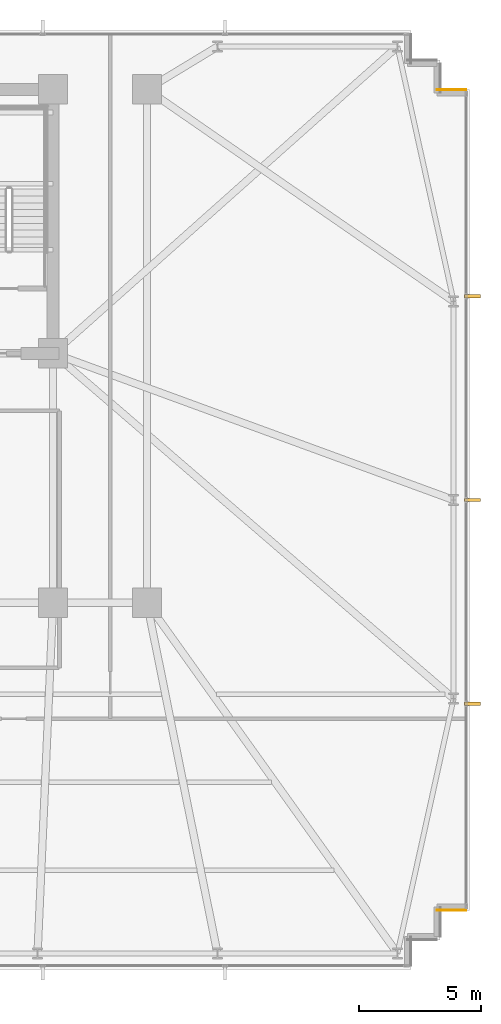
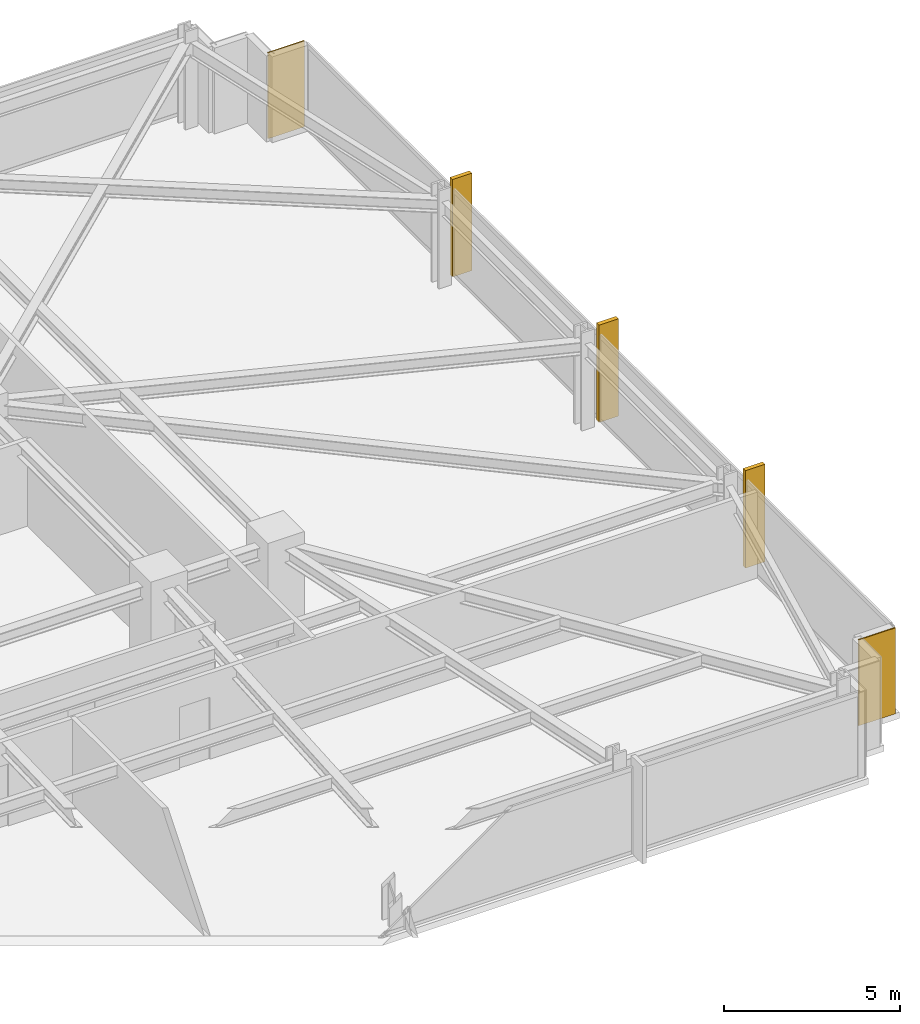
# One storey, part 32 of 32: 3 shading devices, 2 coverings.
"""IFC4 building model written with IfcOpenShell, lengths in metres."""

from ifc_helpers import new_model, si_unit, direction, frame, frame_2d, origin, origin_2d, place, context, subcontext, project, spatial, rectangle, extrude, material, layer, layer_set, type_object, element, save


model = new_model("IFC4")

# Units and contexts
model_context = context("Model", 3, precision=1e-05, world=origin(), true_north=direction((0.0, 1.0)))
body_context = subcontext(model_context, "Body", "Model", "MODEL_VIEW")
ifc_project = project(units=[si_unit("LENGTHUNIT", "METRE"), si_unit("AREAUNIT", "SQUARE_METRE"), si_unit("VOLUMEUNIT", "CUBIC_METRE"), si_unit("PLANEANGLEUNIT", "RADIAN"), si_unit("MASSUNIT", "GRAM", prefix="KILO")], contexts=[model_context])

# Site, building, storey
site_placement = place(None, origin())
site = spatial("IfcSite", under=ifc_project, at=site_placement, CompositionType="ELEMENT")
building_placement = place(site_placement, origin())
building = spatial("IfcBuilding", under=site, at=building_placement, Name="Yelkora Congress Tower", CompositionType="ELEMENT")
storey_placement = place(building_placement, frame((0.0, 0.0, 74.60009765625)))
storey = spatial("IfcBuildingStorey", under=building, at=storey_placement, Name="L19", CompositionType="ELEMENT", Elevation=74.60009765625)

# Coverings
ifc_material_1 = material(Name="Anatolian bush-hammered limestone", Category="masonry")
ifc_layer_1 = layer(ifc_material_1, 0.0400390625)
ifc_layer_set_1 = layer_set([ifc_layer_1], Name="Anatolian bush-hammered limestone")
covering_type = type_object("IfcCoveringType", Name="COV-CLAD-SPANDREL-40", PredefinedType="CLADDING", material=ifc_layer_set_1)
for number, where, z_axis, x_axis, name in (
    (1, (69.4599609375, 46.195068359375, 0.0), (0.0, 0.0, 1.0), (1.0, 0.0, 0.0), "L19 Anatolian Limestone Cladding EW-L19-SR14"),
    (2, (70.659912109375, 12.60498046875, 0.0), (0.0, 0.0, 1.0), (-1.0, 0.0, 0.0), "L19 Anatolian Limestone Cladding EW-L19-SR16"),
):
    element("IfcCovering", number, at=place(storey_placement, frame(where, z_axis=z_axis, x_axis=x_axis)), inside=storey, type_object=covering_type, Name=name, PredefinedType="CLADDING", context=body_context, shape_type="SweptSolid", body=[
        extrude(rectangle(XDim=1.199951171875, YDim=0.0400390625, at=frame_2d((0.60009765625, 0.0))), origin(), (0.0, 0.0, 1.0), 2.97998046875),
    ])

# Shading devices
ifc_material_2 = material(Name="Champagne anodised aluminium", Category="aluminium")
ifc_layer_2 = layer(ifc_material_2, 3.39990234375)
ifc_layer_set_2 = layer_set([ifc_layer_2], Name="Champagne anodised aluminium")
shading_device_type = type_object("IfcShadingDeviceType", Name="SHD-FIN-ALU-640", PredefinedType="USERDEFINED", material=ifc_layer_set_2)
for number, where, z_axis, x_axis, name in (
    (3, (70.919921875, 37.72998046875, -0.030029296875), (0.0, 0.0, 1.0), (0.0, -1.0, 0.0), "L19 Vertical Anodised Solar Fin 15-1"),
    (4, (70.919921875, 29.39990234375, -0.030029296875), (0.0, 0.0, 1.0), (0.0, -1.0, 0.0), "L19 Vertical Anodised Solar Fin 15-2"),
    (5, (70.919921875, 21.070068359375, -0.030029296875), (0.0, 0.0, 1.0), (0.0, -1.0, 0.0), "L19 Vertical Anodised Solar Fin 15-3"),
):
    element("IfcShadingDevice", number, at=place(storey_placement, frame(where, z_axis=z_axis, x_axis=x_axis)), inside=storey, type_object=shading_device_type, Name=name, ObjectType="FIN", PredefinedType="USERDEFINED", context=body_context, shape_type="SweptSolid", body=[
        extrude(rectangle(XDim=0.139892578125, YDim=0.639892578125, at=origin_2d()), origin(), (0.0, 0.0, 1.0), 3.3798828125),
    ])

save(model, "model.ifc")
